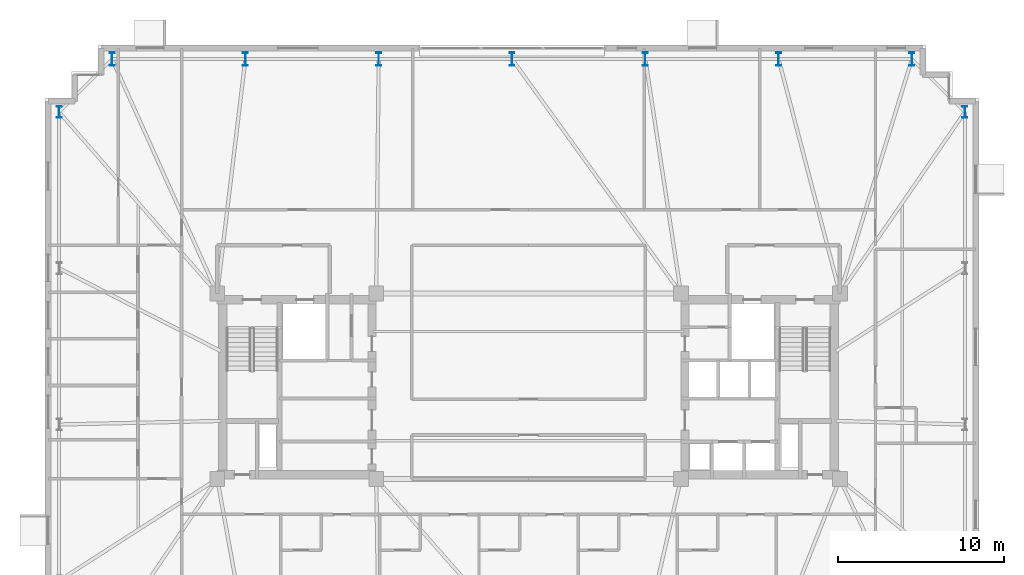
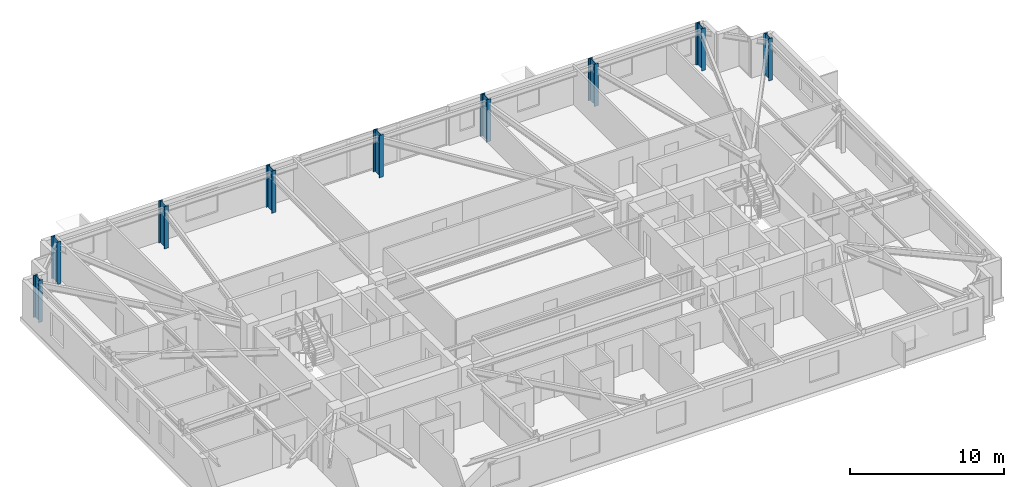
# One storey, part 2 of 18: 9 columns.
"""IFC4 building model written with IfcOpenShell, lengths in metres."""

from ifc_helpers import new_model, si_unit, direction, frame, origin, origin_2d, place, context, subcontext, project, spatial, i_section, extrude, material, material_profile, profile_set, type_object, element, save


model = new_model("IFC4")

# Units and contexts
model_context = context("Model", 3, precision=1e-05, world=origin(), true_north=direction((0.0, 1.0)))
body_context = subcontext(model_context, "Body", "Model", "MODEL_VIEW")
ifc_project = project(units=[si_unit("LENGTHUNIT", "METRE"), si_unit("AREAUNIT", "SQUARE_METRE"), si_unit("VOLUMEUNIT", "CUBIC_METRE"), si_unit("PLANEANGLEUNIT", "RADIAN"), si_unit("MASSUNIT", "GRAM", prefix="KILO")], contexts=[model_context])

# Site, building, storey
site_placement = place(None, origin())
site = spatial("IfcSite", under=ifc_project, at=site_placement, CompositionType="ELEMENT")
building_placement = place(site_placement, origin())
building = spatial("IfcBuilding", under=site, at=building_placement, Name="Qobustan Lattice House", CompositionType="ELEMENT")
storey_placement = place(building_placement, frame((0.0, 0.0, 154.449951171875)))
storey = spatial("IfcBuildingStorey", under=building, at=storey_placement, Name="L43", CompositionType="ELEMENT", Elevation=154.449951171875)

# Columns
ifc_material_1 = material(Name="Steel S355", Category="steel")
ifc_material_profile_1 = material_profile(ifc_material_1, i_section(OverallWidth=0.300048828125, OverallDepth=0.699951171875, WebThickness=0.01708984375, FlangeThickness=0.031982421875, FilletRadius=0.027099609375, at=origin_2d()), Name="HEB700")
ifc_profile_set_1 = profile_set([ifc_material_profile_1], Name="Steel S355")
column_type_1 = type_object("IfcColumnType", Name="COL-ST-HEB700", PredefinedType="COLUMN", material=ifc_profile_set_1)
for number, where, z_axis, x_axis, name in (
    (1, (26.35009765625, 16.550048828125, 0.0), (0.0, 0.0, 1.0), (1.0, 0.0, 0.0), "L43 B3 perimeter column E4"),
    (2, (-28.35009765625, 16.550048828125, 0.0), (0.0, 0.0, 1.0), (1.0, 0.0, 0.0), "L43 B3 perimeter column W1"),
):
    element("IfcColumn", number, at=place(storey_placement, frame(where, z_axis=z_axis, x_axis=x_axis)), inside=storey, type_object=column_type_1, Name=name, PredefinedType="COLUMN", context=body_context, shape_type="SweptSolid", body=[
        extrude(i_section(OverallWidth=0.300048828125, OverallDepth=0.699951171875, WebThickness=0.01708984375, FlangeThickness=0.031982421875, FilletRadius=0.027099609375, at=origin_2d()), origin(), (0.0, 0.0, 1.0), 3.35009765625),
    ])
ifc_material_2 = material(Name="Steel S355", Category="steel")
ifc_material_profile_2 = material_profile(ifc_material_2, i_section(OverallWidth=0.300048828125, OverallDepth=0.800048828125, WebThickness=0.017578125, FlangeThickness=0.032958984375, FilletRadius=0.030029296875, at=origin_2d()), Name="HEB800")
ifc_profile_set_2 = profile_set([ifc_material_profile_2], Name="Steel S355")
column_type_2 = type_object("IfcColumnType", Name="COL-ST-HEB800", PredefinedType="COLUMN", material=ifc_profile_set_2)
for number, where, z_axis, x_axis, name in (
    (3, (23.14990234375, 19.75, 0.0), (0.0, 0.0, 1.0), (1.0, 0.0, 0.0), "L43 B3 perimeter column N1"),
    (4, (15.10009765625, 19.75, 0.0), (0.0, 0.0, 1.0), (1.0, 0.0, 0.0), "L43 B3 perimeter column N2"),
    (5, (7.050048828125, 19.75, 0.0), (0.0, 0.0, 1.0), (1.0, 0.0, 0.0), "L43 B3 perimeter column N3"),
    (6, (-1.0, 19.75, 0.0), (0.0, 0.0, 1.0), (1.0, 0.0, 0.0), "L43 B3 perimeter column N4"),
    (7, (-9.050048828125, 19.75, 0.0), (0.0, 0.0, 1.0), (1.0, 0.0, 0.0), "L43 B3 perimeter column N5"),
    (8, (-17.10009765625, 19.75, 0.0), (0.0, 0.0, 1.0), (1.0, 0.0, 0.0), "L43 B3 perimeter column N6"),
    (9, (-25.14990234375, 19.75, 0.0), (0.0, 0.0, 1.0), (1.0, 0.0, 0.0), "L43 B3 perimeter column N7"),
):
    element("IfcColumn", number, at=place(storey_placement, frame(where, z_axis=z_axis, x_axis=x_axis)), inside=storey, type_object=column_type_2, Name=name, PredefinedType="COLUMN", context=body_context, shape_type="SweptSolid", body=[
        extrude(i_section(OverallWidth=0.300048828125, OverallDepth=0.800048828125, WebThickness=0.017578125, FlangeThickness=0.032958984375, FilletRadius=0.030029296875, at=origin_2d()), origin(), (0.0, 0.0, 1.0), 3.35009765625),
    ])

save(model, "model.ifc")
